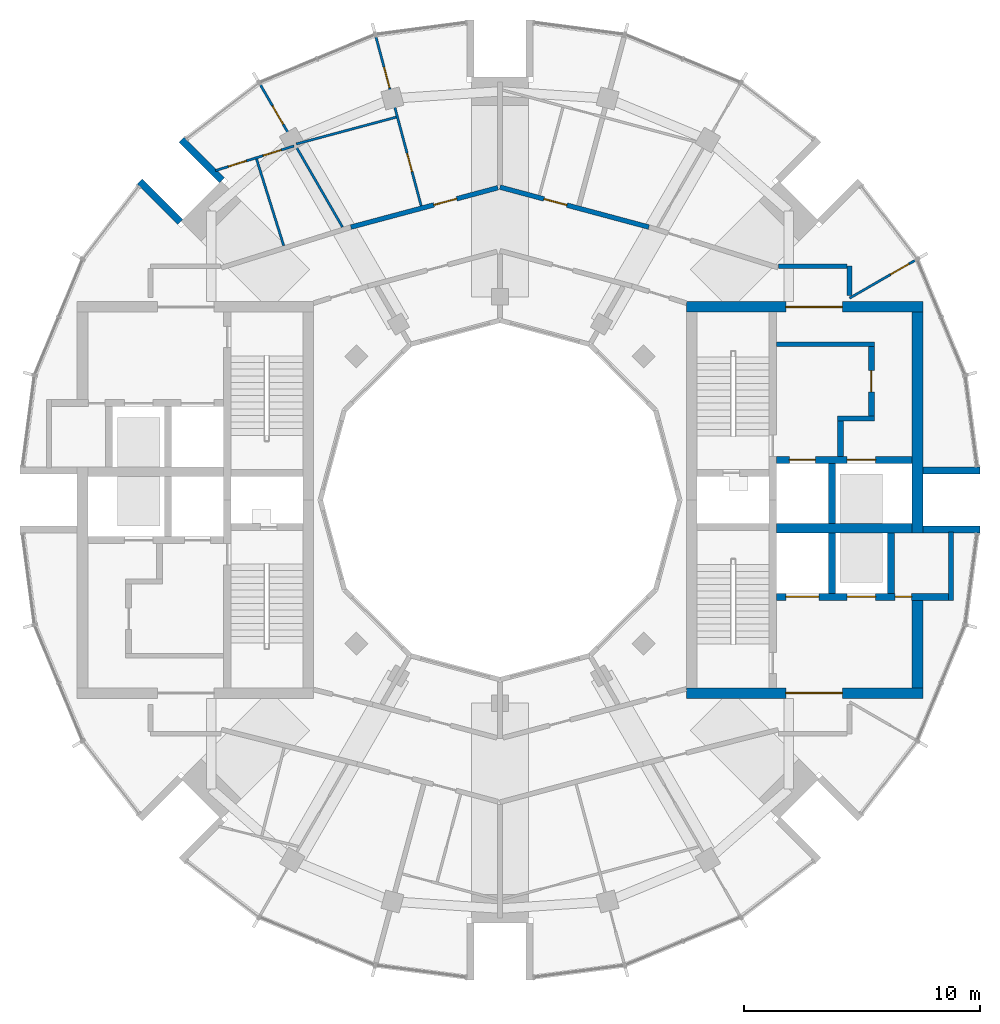
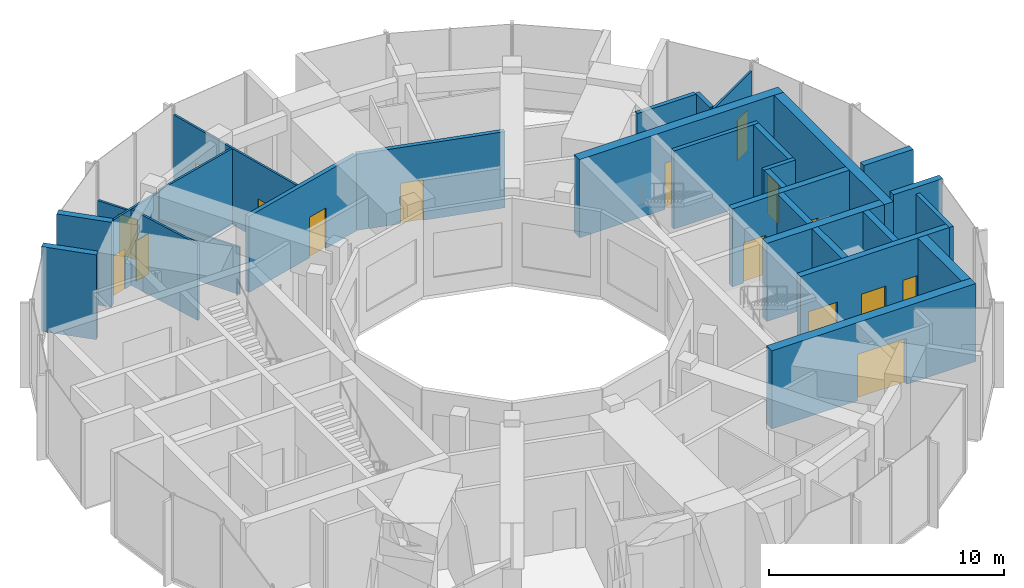
# One storey, part 10 of 13: 29 walls, 16 doors, 16 openings.
"""IFC4 building model written with IfcOpenShell, lengths in metres."""

from ifc_helpers import new_model, si_unit, direction, frame, frame_2d, origin, place, context, subcontext, project, spatial, rectangle, extrude, material, layer, layer_set, type_object, element, fill, save


model = new_model("IFC4")

# Units and contexts
model_context = context("Model", 3, precision=1e-05, world=origin(), true_north=direction((0.0, 1.0)))
body_context = subcontext(model_context, "Body", "Model", "MODEL_VIEW")
ifc_project = project(units=[si_unit("LENGTHUNIT", "METRE"), si_unit("AREAUNIT", "SQUARE_METRE"), si_unit("VOLUMEUNIT", "CUBIC_METRE"), si_unit("PLANEANGLEUNIT", "RADIAN"), si_unit("MASSUNIT", "GRAM", prefix="KILO")], contexts=[model_context])

# Site, building, storey
site_placement = place(None, origin())
site = spatial("IfcSite", under=ifc_project, at=site_placement, CompositionType="ELEMENT")
building_placement = place(site_placement, origin())
building = spatial("IfcBuilding", under=site, at=building_placement, Name="Torre Brocal", CompositionType="ELEMENT")
storey_placement = place(building_placement, frame((0.0, 0.0, 323.699951171875)))
storey = spatial("IfcBuildingStorey", under=building, at=storey_placement, Name="L74", CompositionType="ELEMENT", Elevation=323.699951171875)

# Walls
ifc_material_1 = material(Name="Masonry block", Category="masonry")
ifc_layer_1 = layer(ifc_material_1, 0.199951171875)
ifc_layer_set_1 = layer_set([ifc_layer_1], Name="Masonry block")
wall_type_1 = type_object("IfcWallType", Name="CORE PARTITION 200 UNDER 350 SLAB", PredefinedType="PARTITIONING", material=ifc_layer_set_1)
wall_1_placement = place(storey_placement, frame((99.10009765625, 70.75, 0.0), z_axis=(0.0, 0.0, 1.0), x_axis=(0.0, 1.0, 0.0)))
element("IfcWall", 1, at=wall_1_placement, inside=storey, type_object=wall_type_1, Name="Wall CP200-S350", PredefinedType="PARTITIONING", context=body_context, shape_type="SweptSolid", body=[
    extrude(rectangle(XDim=2.89990234375, YDim=0.199951171875, at=frame_2d((1.449951171875, 0.0))), origin(), (0.0, 0.0, 1.0), 4.050048828125),
])
ifc_material_2 = material(Name="Concrete C50", Category="concrete")
ifc_layer_2 = layer(ifc_material_2, 0.199951171875)
ifc_layer_set_2 = layer_set([ifc_layer_2], Name="Concrete C50")
wall_type_2 = type_object("IfcWallType", Name="CORE WALL 200 C50 UNDER 350 SLAB", PredefinedType="SHEAR", material=ifc_layer_set_2)
wall_2_placement = place(storey_placement, frame((91.699951171875, 81.60009765625, 0.0), z_axis=(0.0, 0.0, 1.0), x_axis=(1.0, 0.0, 0.0)))
element("IfcWall", 2, at=wall_2_placement, inside=storey, type_object=wall_type_2, Name="Wall CW200-50-S350", PredefinedType="SHEAR", context=body_context, shape_type="SweptSolid", body=[
    extrude(rectangle(XDim=4.150146484375, YDim=0.199951171875, at=frame_2d((2.0751953125, 0.0))), origin(), (0.0, 0.0, 1.0), 4.050048828125),
])
wall_3_placement = place(storey_placement, frame((94.300048828125, 78.449951171875, 0.0), z_axis=(0.0, 0.0, 1.0), x_axis=(1.0, 0.0, 0.0)))
element("IfcWall", 3, at=wall_3_placement, inside=storey, type_object=wall_type_2, Name="Wall CW200-50-S350", PredefinedType="SHEAR", context=body_context, shape_type="SweptSolid", body=[
    extrude(rectangle(XDim=1.550048828125, YDim=0.199951171875, at=frame_2d((0.77490234375, 0.0))), origin(), (0.0, 0.0, 1.0), 4.050048828125),
])

# Wall, opening, door
ifc_material_3 = material(Name="Concrete C50", Category="concrete")
ifc_layer_3 = layer(ifc_material_3, 0.25)
ifc_layer_set_3 = layer_set([ifc_layer_3], Name="Concrete C50")
wall_type_3 = type_object("IfcWallType", Name="CORE WALL 250 C50 UNDER 350 SLAB", PredefinedType="SHEAR", material=ifc_layer_set_3)
wall_4_placement = place(storey_placement, frame((95.72509765625, 78.550048828125, 0.0), z_axis=(0.0, 0.0, 1.0), x_axis=(0.0, 1.0, 0.0)))
wall_4 = element("IfcWall", 4, at=wall_4_placement, inside=storey, type_object=wall_type_3, Name="Wall CW250-50-S350", PredefinedType="SHEAR", context=body_context, shape_type="SweptSolid", body=[
    extrude(rectangle(XDim=2.949951171875, YDim=0.25, at=frame_2d((1.47509765625, 0.0))), origin(), (0.0, 0.0, 1.0), 4.050048828125),
])
opening_1_placement = place(wall_4_placement, frame((1.02490234375, 0.0, 0.0)))
opening_1 = element("IfcOpeningElement", 5, at=opening_1_placement, cuts=wall_4, Name="Opening E-D19", PredefinedType="OPENING", context=body_context, shape_type="SweptSolid", body=[
    extrude(rectangle(XDim=0.89990234375, YDim=2.10009765625, at=frame_2d((0.449951171875, 1.050048828125))), frame((0.0, 0.135009765625, 0.0), z_axis=(0.0, -1.0, 0.0), x_axis=(1.0, 0.0, 0.0)), (0.0, 0.0, 1.0), 0.27001953125),
])
ifc_material_4 = material(Name="Steel A653", Category="steel")
door_type_1 = type_object("IfcDoorType", Name="LOBBY DOOR FD120 900X2100", OperationType="SINGLE_SWING_RIGHT", PredefinedType="DOOR", material=ifc_material_4)
door_1_placement = place(opening_1_placement, origin())
door_1 = element("IfcDoor", 6, at=door_1_placement, inside=storey, type_object=door_type_1, Name="Door E-D19", OperationType="SINGLE_SWING_LEFT", OverallHeight=2.10009765625, OverallWidth=0.89990234375, PredefinedType="DOOR", context=body_context, shape_type="SweptSolid", body=[
    extrude(rectangle(XDim=0.89990234375, YDim=2.10009765625, at=frame_2d((0.449951171875, 1.050048828125))), frame((0.0, 0.02490234375, 0.0), z_axis=(0.0, -1.0, 0.0), x_axis=(1.0, 0.0, 0.0)), (0.0, 0.0, 1.0), 0.050048828125),
])
fill(opening_1, door_1)

# Wall
wall_5_placement = place(storey_placement, frame((94.425048828125, 76.85009765625, 0.0), z_axis=(0.0, 0.0, 1.0), x_axis=(0.0, 1.0, 0.0)))
element("IfcWall", 7, at=wall_5_placement, inside=storey, type_object=wall_type_3, Name="Wall CW250-50-S350", PredefinedType="SHEAR", context=body_context, shape_type="SweptSolid", body=[
    extrude(rectangle(XDim=1.5, YDim=0.25, at=frame_2d((0.75, 0.0))), origin(), (0.0, 0.0, 1.0), 4.050048828125),
])

# Wall, openings, doors
ifc_material_5 = material(Name="Concrete C50", Category="concrete")
ifc_layer_4 = layer(ifc_material_5, 0.300048828125)
ifc_layer_set_4 = layer_set([ifc_layer_4], Name="Concrete C50")
wall_type_4 = type_object("IfcWallType", Name="CORE WALL 300 C50 UNDER 350 SLAB", PredefinedType="SHEAR", material=ifc_layer_set_4)
wall_6_placement = place(storey_placement, frame((91.699951171875, 76.699951171875, 0.0), z_axis=(0.0, 0.0, 1.0), x_axis=(1.0, 0.0, 0.0)))
wall_6 = element("IfcWall", 8, at=wall_6_placement, inside=storey, type_object=wall_type_4, Name="Wall CW300-50-S350", PredefinedType="SHEAR", context=body_context, shape_type="SweptSolid", body=[
    extrude(rectangle(XDim=5.75, YDim=0.300048828125, at=frame_2d((2.875, 0.0))), origin(), (0.0, 0.0, 1.0), 4.050048828125),
])
opening_2_placement = place(wall_6_placement, frame((0.550048828125, 0.0, 0.0)))
opening_2 = element("IfcOpeningElement", 9, at=opening_2_placement, cuts=wall_6, Name="Opening LD", PredefinedType="OPENING", context=body_context, shape_type="SweptSolid", body=[
    extrude(rectangle(XDim=1.10009765625, YDim=2.10009765625, at=frame_2d((0.550048828125, 1.050048828125))), frame((0.0, 0.159912109375, 0.0), z_axis=(0.0, -1.0, 0.0), x_axis=(1.0, 0.0, 0.0)), (0.0, 0.0, 1.0), 0.320068359375),
])
opening_3_placement = place(wall_6_placement, frame((3.0, 0.0, 0.0)))
opening_3 = element("IfcOpeningElement", 10, at=opening_3_placement, cuts=wall_6, Name="Opening LD12", PredefinedType="OPENING", context=body_context, shape_type="SweptSolid", body=[
    extrude(rectangle(XDim=1.199951171875, YDim=2.10009765625, at=frame_2d((0.60009765625, 1.050048828125))), frame((0.0, 0.159912109375, 0.0), z_axis=(0.0, -1.0, 0.0), x_axis=(1.0, 0.0, 0.0)), (0.0, 0.0, 1.0), 0.320068359375),
])
ifc_material_6 = material(Name="Stainless steel AISI 316", Category="steel")
door_type_2 = type_object("IfcDoorType", Name="LIFT LANDING DOOR 1100X2100", OperationType="DOUBLE_DOOR_SLIDING", PredefinedType="DOOR", material=ifc_material_6)
door_2_placement = place(opening_2_placement, origin())
door_2 = element("IfcDoor", 11, at=door_2_placement, inside=storey, type_object=door_type_2, Name="Door LD", OperationType="DOUBLE_DOOR_SLIDING", OverallHeight=2.10009765625, OverallWidth=1.10009765625, PredefinedType="DOOR", context=body_context, shape_type="SweptSolid", body=[
    extrude(rectangle(XDim=1.10009765625, YDim=2.10009765625, at=frame_2d((0.550048828125, 1.050048828125))), frame((0.0, 0.02490234375, 0.0), z_axis=(0.0, -1.0, 0.0), x_axis=(1.0, 0.0, 0.0)), (0.0, 0.0, 1.0), 0.050048828125),
])
fill(opening_2, door_2)
ifc_material_7 = material(Name="Stainless steel AISI 316", Category="steel")
door_type_3 = type_object("IfcDoorType", Name="LIFT LANDING DOOR 1200X2100", OperationType="DOUBLE_DOOR_SLIDING", PredefinedType="DOOR", material=ifc_material_7)
door_3_placement = place(opening_3_placement, origin())
door_3 = element("IfcDoor", 12, at=door_3_placement, inside=storey, type_object=door_type_3, Name="Door LD12", OperationType="DOUBLE_DOOR_SLIDING", OverallHeight=2.10009765625, OverallWidth=1.199951171875, PredefinedType="DOOR", context=body_context, shape_type="SweptSolid", body=[
    extrude(rectangle(XDim=1.199951171875, YDim=2.10009765625, at=frame_2d((0.60009765625, 1.050048828125))), frame((0.0, 0.02490234375, 0.0), z_axis=(0.0, -1.0, 0.0), x_axis=(1.0, 0.0, 0.0)), (0.0, 0.0, 1.0), 0.050048828125),
])
fill(opening_3, door_3)

wall_7_placement = place(storey_placement, frame((91.699951171875, 70.89990234375, 0.0), z_axis=(0.0, 0.0, 1.0), x_axis=(1.0, 0.0, 0.0)))
wall_7 = element("IfcWall", 13, at=wall_7_placement, inside=storey, type_object=wall_type_4, Name="Wall CW300-50-S350", PredefinedType="SHEAR", context=body_context, shape_type="SweptSolid", body=[
    extrude(rectangle(XDim=7.300048828125, YDim=0.300048828125, at=frame_2d((3.64990234375, 0.0))), origin(), (0.0, 0.0, 1.0), 4.050048828125),
])
opening_4_placement = place(wall_7_placement, frame((0.39990234375, 0.0, 0.0)))
opening_4 = element("IfcOpeningElement", 14, at=opening_4_placement, cuts=wall_7, Name="Opening LD14", PredefinedType="OPENING", context=body_context, shape_type="SweptSolid", body=[
    extrude(rectangle(XDim=1.39990234375, YDim=2.10009765625, at=frame_2d((0.699951171875, 1.050048828125))), frame((0.0, 0.159912109375, 0.0), z_axis=(0.0, -1.0, 0.0), x_axis=(1.0, 0.0, 0.0)), (0.0, 0.0, 1.0), 0.320068359375),
])
opening_5_placement = place(wall_7_placement, frame((3.0, 0.0, 0.0)))
opening_5 = element("IfcOpeningElement", 15, at=opening_5_placement, cuts=wall_7, Name="Opening LD12", PredefinedType="OPENING", context=body_context, shape_type="SweptSolid", body=[
    extrude(rectangle(XDim=1.199951171875, YDim=2.10009765625, at=frame_2d((0.60009765625, 1.050048828125))), frame((0.0, 0.159912109375, 0.0), z_axis=(0.0, -1.0, 0.0), x_axis=(1.0, 0.0, 0.0)), (0.0, 0.0, 1.0), 0.320068359375),
])
opening_6_placement = place(wall_7_placement, frame((5.02490234375, 0.0, 0.0)))
opening_6 = element("IfcOpeningElement", 16, at=opening_6_placement, cuts=wall_7, Name="Opening E-D17", PredefinedType="OPENING", context=body_context, shape_type="SweptSolid", body=[
    extrude(rectangle(XDim=0.699951171875, YDim=2.10009765625, at=frame_2d((0.35009765625, 1.050048828125))), frame((0.0, 0.159912109375, 0.0), z_axis=(0.0, -1.0, 0.0), x_axis=(1.0, 0.0, 0.0)), (0.0, 0.0, 1.0), 0.320068359375),
])
door_4_placement = place(opening_5_placement, origin())
door_4 = element("IfcDoor", 17, at=door_4_placement, inside=storey, type_object=door_type_3, Name="Door LD12", OperationType="DOUBLE_DOOR_SLIDING", OverallHeight=2.10009765625, OverallWidth=1.199951171875, PredefinedType="DOOR", context=body_context, shape_type="SweptSolid", body=[
    extrude(rectangle(XDim=1.199951171875, YDim=2.10009765625, at=frame_2d((0.60009765625, 1.050048828125))), frame((0.0, 0.02490234375, 0.0), z_axis=(0.0, -1.0, 0.0), x_axis=(1.0, 0.0, 0.0)), (0.0, 0.0, 1.0), 0.050048828125),
])
fill(opening_5, door_4)
ifc_material_8 = material(Name="Stainless steel AISI 316", Category="steel")
door_type_4 = type_object("IfcDoorType", Name="LIFT LANDING DOOR 1400X2100", OperationType="DOUBLE_DOOR_SLIDING", PredefinedType="DOOR", material=ifc_material_8)
door_5_placement = place(opening_4_placement, origin())
door_5 = element("IfcDoor", 18, at=door_5_placement, inside=storey, type_object=door_type_4, Name="Door LD14", OperationType="DOUBLE_DOOR_SLIDING", OverallHeight=2.10009765625, OverallWidth=1.39990234375, PredefinedType="DOOR", context=body_context, shape_type="SweptSolid", body=[
    extrude(rectangle(XDim=1.39990234375, YDim=2.10009765625, at=frame_2d((0.699951171875, 1.050048828125))), frame((0.0, 0.02490234375, 0.0), z_axis=(0.0, -1.0, 0.0), x_axis=(1.0, 0.0, 0.0)), (0.0, 0.0, 1.0), 0.050048828125),
])
fill(opening_4, door_5)
ifc_material_9 = material(Name="Steel A653", Category="steel")
door_type_5 = type_object("IfcDoorType", Name="ROOM DOOR FD30S 700X2100", OperationType="SINGLE_SWING_LEFT", PredefinedType="DOOR", material=ifc_material_9)
door_6_placement = place(opening_6_placement, origin())
door_6 = element("IfcDoor", 19, at=door_6_placement, inside=storey, type_object=door_type_5, Name="Door E-D17", OperationType="SINGLE_SWING_LEFT", OverallHeight=2.10009765625, OverallWidth=0.699951171875, PredefinedType="DOOR", context=body_context, shape_type="SweptSolid", body=[
    extrude(rectangle(XDim=0.699951171875, YDim=2.10009765625, at=frame_2d((0.35009765625, 1.050048828125))), frame((0.0, 0.02490234375, 0.0), z_axis=(0.0, -1.0, 0.0), x_axis=(1.0, 0.0, 0.0)), (0.0, 0.0, 1.0), 0.050048828125),
])
fill(opening_6, door_6)

# Walls
for number, where, z_axis, x_axis, name in (
    (20, (94.050048828125, 74.0, 0.0), (0.0, 0.0, 1.0), (0.0, 1.0, 0.0), "Wall CW300-50-S350"),
    (21, (94.050048828125, 71.050048828125, 0.0), (0.0, 0.0, 1.0), (0.0, 1.0, 0.0), "Wall CW300-50-S350"),
    (22, (96.550048828125, 71.050048828125, 0.0), (0.0, 0.0, 1.0), (0.0, 1.0, 0.0), "Wall CW300-50-S350"),
):
    element("IfcWall", number, at=place(storey_placement, frame(where, z_axis=z_axis, x_axis=x_axis)), inside=storey, type_object=wall_type_4, Name=name, PredefinedType="SHEAR", context=body_context, shape_type="SweptSolid", body=[
        extrude(rectangle(XDim=2.550048828125, YDim=0.300048828125, at=frame_2d((1.27490234375, 0.0))), origin(), (0.0, 0.0, 1.0), 4.050048828125),
    ])
ifc_material_10 = material(Name="Concrete C50", Category="concrete")
ifc_layer_5 = layer(ifc_material_10, 0.39990234375)
ifc_layer_set_5 = layer_set([ifc_layer_5], Name="Concrete C50")
wall_type_5 = type_object("IfcWallType", Name="CORE WALL 400 C50 UNDER 350 SLAB", PredefinedType="SHEAR", material=ifc_layer_set_5)
wall_8_placement = place(storey_placement, frame((91.699951171875, 73.800048828125, 0.0), z_axis=(0.0, 0.0, 1.0), x_axis=(1.0, 0.0, 0.0)))
element("IfcWall", 23, at=wall_8_placement, inside=storey, type_object=wall_type_5, Name="Wall CW400-50-S350", PredefinedType="SHEAR", context=body_context, shape_type="SweptSolid", body=[
    extrude(rectangle(XDim=5.75, YDim=0.39990234375, at=frame_2d((2.875, 0.0))), origin(), (0.0, 0.0, 1.0), 4.050048828125),
])

# Wall, opening, door
ifc_material_11 = material(Name="Concrete C50", Category="concrete")
ifc_layer_6 = layer(ifc_material_11, 0.449951171875)
ifc_layer_set_6 = layer_set([ifc_layer_6], Name="Concrete C50")
wall_type_6 = type_object("IfcWallType", Name="CORE WALL 450 C50 UNDER 350 SLAB", PredefinedType="SHEAR", material=ifc_layer_set_6)
wall_9_placement = place(storey_placement, frame((87.89990234375, 83.175048828125, 0.0), z_axis=(0.0, 0.0, 1.0), x_axis=(1.0, 0.0, 0.0)))
wall_9 = element("IfcWall", 24, at=wall_9_placement, inside=storey, type_object=wall_type_6, Name="Wall CW450-50-S350", PredefinedType="SHEAR", context=body_context, shape_type="SweptSolid", body=[
    extrude(rectangle(XDim=10.0, YDim=0.449951171875, at=frame_2d((5.0, 0.0))), origin(), (0.0, 0.0, 1.0), 4.050048828125),
])
opening_7_placement = place(wall_9_placement, frame((4.199951171875, 0.0, 0.0)))
opening_7 = element("IfcOpeningElement", 25, at=opening_7_placement, cuts=wall_9, Name="Opening E-D23", PredefinedType="OPENING", context=body_context, shape_type="SweptSolid", body=[
    extrude(rectangle(XDim=2.39990234375, YDim=2.39990234375, at=frame_2d((1.199951171875, 1.199951171875))), frame((0.0, 0.23486328125, 0.0), z_axis=(0.0, -1.0, 0.0), x_axis=(1.0, 0.0, 0.0)), (0.0, 0.0, 1.0), 0.469970703125),
])
ifc_material_12 = material(Name="Steel A653", Category="steel")
door_type_6 = type_object("IfcDoorType", Name="DOUBLE FIRE DOOR FD90 2400X2400", OperationType="DOUBLE_DOOR_SINGLE_SWING", PredefinedType="DOOR", material=ifc_material_12)
door_7_placement = place(opening_7_placement, frame((2.39990234375, 0.0, 0.0), z_axis=(0.0, 0.0, 1.0), x_axis=(-1.0, 0.0, 0.0)))
door_7 = element("IfcDoor", 26, at=door_7_placement, inside=storey, type_object=door_type_6, Name="Door E-D23", OperationType="DOUBLE_DOOR_SINGLE_SWING", OverallHeight=2.39990234375, OverallWidth=2.39990234375, PredefinedType="DOOR", context=body_context, shape_type="SweptSolid", body=[
    extrude(rectangle(XDim=2.39990234375, YDim=2.39990234375, at=frame_2d((1.199951171875, 1.199951171875))), frame((0.0, 0.02490234375, 0.0), z_axis=(0.0, -1.0, 0.0), x_axis=(1.0, 0.0, 0.0)), (0.0, 0.0, 1.0), 0.050048828125),
])
fill(opening_7, door_7)

wall_10_placement = place(storey_placement, frame((87.89990234375, 66.824951171875, 0.0), z_axis=(0.0, 0.0, 1.0), x_axis=(1.0, 0.0, 0.0)))
wall_10 = element("IfcWall", 27, at=wall_10_placement, inside=storey, type_object=wall_type_6, Name="Wall CW450-50-S350", PredefinedType="SHEAR", context=body_context, shape_type="SweptSolid", body=[
    extrude(rectangle(XDim=10.0, YDim=0.449951171875, at=frame_2d((5.0, 0.0))), origin(), (0.0, 0.0, 1.0), 4.050048828125),
])
opening_8_placement = place(wall_10_placement, frame((4.199951171875, 0.0, 0.0)))
opening_8 = element("IfcOpeningElement", 28, at=opening_8_placement, cuts=wall_10, Name="Opening E-D24", PredefinedType="OPENING", context=body_context, shape_type="SweptSolid", body=[
    extrude(rectangle(XDim=2.39990234375, YDim=2.39990234375, at=frame_2d((1.199951171875, 1.199951171875))), frame((0.0, 0.23486328125, 0.0), z_axis=(0.0, -1.0, 0.0), x_axis=(1.0, 0.0, 0.0)), (0.0, 0.0, 1.0), 0.469970703125),
])
door_8_placement = place(opening_8_placement, origin())
door_8 = element("IfcDoor", 29, at=door_8_placement, inside=storey, type_object=door_type_6, Name="Door E-D24", OperationType="DOUBLE_DOOR_SINGLE_SWING", OverallHeight=2.39990234375, OverallWidth=2.39990234375, PredefinedType="DOOR", context=body_context, shape_type="SweptSolid", body=[
    extrude(rectangle(XDim=2.39990234375, YDim=2.39990234375, at=frame_2d((1.199951171875, 1.199951171875))), frame((0.0, 0.02490234375, 0.0), z_axis=(0.0, -1.0, 0.0), x_axis=(1.0, 0.0, 0.0)), (0.0, 0.0, 1.0), 0.050048828125),
])
fill(opening_8, door_8)

# Walls
wall_11_placement = place(storey_placement, frame((97.675048828125, 73.60009765625, 0.0), z_axis=(0.0, 0.0, 1.0), x_axis=(0.0, 1.0, 0.0)))
element("IfcWall", 30, at=wall_11_placement, inside=storey, type_object=wall_type_6, Name="Wall CW450-50-S350", PredefinedType="SHEAR", context=body_context, shape_type="SweptSolid", body=[
    extrude(rectangle(XDim=9.349853515625, YDim=0.449951171875, at=frame_2d((4.6748046875, 0.0))), origin(), (0.0, 0.0, 1.0), 4.050048828125),
])
wall_12_placement = place(storey_placement, frame((97.675048828125, 67.050048828125, 0.0), z_axis=(0.0, 0.0, 1.0), x_axis=(0.0, 1.0, 0.0)))
element("IfcWall", 31, at=wall_12_placement, inside=storey, type_object=wall_type_6, Name="Wall CW450-50-S350", PredefinedType="SHEAR", context=body_context, shape_type="SweptSolid", body=[
    extrude(rectangle(XDim=3.699951171875, YDim=0.449951171875, at=frame_2d((1.85009765625, 0.0))), origin(), (0.0, 0.0, 1.0), 4.050048828125),
])
ifc_material_13 = material(Name="Concrete C50", Category="concrete")
ifc_layer_7 = layer(ifc_material_13, 0.300048828125)
ifc_layer_set_7 = layer_set([ifc_layer_7], Name="Concrete C50")
wall_type_7 = type_object("IfcWallType", Name="NOTCH RETURN WALL 300 C50", PredefinedType="NOTDEFINED", material=ifc_layer_set_7)
for number, where, z_axis, x_axis, name in (
    (32, (97.89990234375, 73.75, 0.0), (0.0, 0.0, 1.0), (1.0, 0.0, 0.0), "NOTCH RETURN WALL"),
    (33, (97.89990234375, 76.25, 0.0), (0.0, 0.0, 1.0), (1.0, 0.0, 0.0), "NOTCH RETURN WALL"),
    (34, (68.2265625, 88.541015625, 0.0), (0.0, 0.0, 1.0), (-0.707056246487, 0.707157312274, 0.0), "NOTCH RETURN WALL"),
    (35, (66.458984375, 86.7734375, 0.0), (0.0, 0.0, 1.0), (-0.707157312274, 0.707056246487, 0.0), "NOTCH RETURN WALL"),
):
    element("IfcWall", number, at=place(storey_placement, frame(where, z_axis=z_axis, x_axis=x_axis)), inside=storey, type_object=wall_type_7, Name=name, PredefinedType="NOTDEFINED", context=body_context, shape_type="SweptSolid", body=[
        extrude(rectangle(XDim=2.415771484375, YDim=0.300048828125, at=frame_2d((1.2080078125, 0.0))), origin(), (0.0, 0.0, 1.0), 4.400146484375),
    ])

# Wall, openings, doors
ifc_material_14 = material(Name="Gypsum board", Category="Gypsum")
ifc_layer_8 = layer(ifc_material_14, 0.10009765625)
ifc_layer_set_8 = layer_set([ifc_layer_8], Name="Gypsum board")
wall_type_8 = type_object("IfcWallType", Name="PARTITION 100", PredefinedType="PARTITIONING", material=ifc_layer_set_8)
wall_13_placement = place(storey_placement, frame((67.9541015625, 88.947509765625, 0.0), z_axis=(0.0, 0.0, 1.0), x_axis=(0.954122535632, 0.299416410704, 0.0)))
wall_13 = element("IfcWall", 36, at=wall_13_placement, inside=storey, type_object=wall_type_8, Name="BATHROOM WALL", PredefinedType="PARTITIONING", context=body_context, shape_type="SweptSolid", body=[
    extrude(rectangle(XDim=3.482421875, YDim=0.10009765625, at=frame_2d((1.7412109375, 0.0))), origin(), (0.0, 0.0, 1.0), 3.949951171875),
])
opening_9_placement = place(wall_13_placement, frame((0.5712890625, 0.0, 0.0)))
opening_9 = element("IfcOpeningElement", 37, at=opening_9_placement, cuts=wall_13, Name="Opening N05-D12", PredefinedType="OPENING", context=body_context, shape_type="SweptSolid", body=[
    extrude(rectangle(XDim=0.800048828125, YDim=2.10009765625, at=frame_2d((0.39990234375, 1.050048828125))), frame((0.0, 0.06005859375, 0.0), z_axis=(0.0, -1.0, 0.0), x_axis=(1.0, 0.0, 0.0)), (0.0, 0.0, 1.0), 0.1201171875),
])
opening_10_placement = place(wall_13_placement, frame((2.11376953125, 0.0, 0.0)))
opening_10 = element("IfcOpeningElement", 38, at=opening_10_placement, cuts=wall_13, Name="Opening N05-D13", PredefinedType="OPENING", context=body_context, shape_type="SweptSolid", body=[
    extrude(rectangle(XDim=0.800048828125, YDim=2.10009765625, at=frame_2d((0.39990234375, 1.050048828125))), frame((0.0, 0.06005859375, 0.0), z_axis=(0.0, -1.0, 0.0), x_axis=(1.0, 0.0, 0.0)), (0.0, 0.0, 1.0), 0.1201171875),
])
ifc_material_15 = material(Name="Timber", Category="wood")
door_type_7 = type_object("IfcDoorType", Name="BATHROOM DOOR 800X2100", OperationType="SINGLE_SWING_LEFT", PredefinedType="DOOR", material=ifc_material_15)
door_9_placement = place(opening_9_placement, frame((0.800048828125, 0.0, 0.0), z_axis=(0.0, 0.0, 1.0), x_axis=(-1.0, 0.0, 0.0)))
door_9 = element("IfcDoor", 39, at=door_9_placement, inside=storey, type_object=door_type_7, Name="N05-D12", OperationType="SINGLE_SWING_RIGHT", OverallHeight=2.10009765625, OverallWidth=0.800048828125, PredefinedType="DOOR", context=body_context, shape_type="SweptSolid", body=[
    extrude(rectangle(XDim=0.800048828125, YDim=2.10009765625, at=frame_2d((0.39990234375, 1.050048828125))), frame((0.0, 0.02490234375, 0.0), z_axis=(0.0, -1.0, 0.0), x_axis=(1.0, 0.0, 0.0)), (0.0, 0.0, 1.0), 0.050048828125),
])
fill(opening_9, door_9)
door_10_placement = place(opening_10_placement, frame((0.800048828125, 0.0, 0.0), z_axis=(0.0, 0.0, 1.0), x_axis=(-1.0, 0.0, 0.0)))
door_10 = element("IfcDoor", 40, at=door_10_placement, inside=storey, type_object=door_type_7, Name="N05-D13", OperationType="SINGLE_SWING_RIGHT", OverallHeight=2.10009765625, OverallWidth=0.800048828125, PredefinedType="DOOR", context=body_context, shape_type="SweptSolid", body=[
    extrude(rectangle(XDim=0.800048828125, YDim=2.10009765625, at=frame_2d((0.39990234375, 1.050048828125))), frame((0.0, 0.02490234375, 0.0), z_axis=(0.0, -1.0, 0.0), x_axis=(1.0, 0.0, 0.0)), (0.0, 0.0, 1.0), 0.050048828125),
])
fill(opening_10, door_10)

# Walls
wall_14_placement = place(storey_placement, frame((69.690185546875, 89.43994140625, 0.0), z_axis=(0.0, 0.0, 1.0), x_axis=(0.299260814267, -0.954171349939, 0.0)))
element("IfcWall", 41, at=wall_14_placement, inside=storey, type_object=wall_type_8, Name="BATHROOM WALL", PredefinedType="PARTITIONING", context=body_context, shape_type="SweptSolid", body=[
    extrude(rectangle(XDim=3.84912109375, YDim=0.10009765625, at=frame_2d((1.924560546875, 0.0))), origin(), (0.0, 0.0, 1.0), 3.949951171875),
])
wall_15_placement = place(storey_placement, frame((71.374755859375, 90.075439453125, 0.0), z_axis=(0.0, 0.0, 1.0), x_axis=(0.965918685896, 0.258845691944, 0.0)))
element("IfcWall", 42, at=wall_15_placement, inside=storey, type_object=wall_type_8, Name="BATHROOM WALL", PredefinedType="PARTITIONING", context=body_context, shape_type="SweptSolid", body=[
    extrude(rectangle(XDim=4.379150390625, YDim=0.10009765625, at=frame_2d((2.189453125, 0.0))), origin(), (0.0, 0.0, 1.0), 3.949951171875),
])

# Wall, openings, doors
wall_16_placement = place(storey_placement, frame((74.7470703125, 94.606689453125, 0.0), z_axis=(0.0, 0.0, 1.0), x_axis=(0.258787180783, -0.965934363745, 0.0)))
wall_16 = element("IfcWall", 43, at=wall_16_placement, inside=storey, type_object=wall_type_8, Name="BATHROOM WALL", PredefinedType="PARTITIONING", context=body_context, shape_type="SweptSolid", body=[
    extrude(rectangle(XDim=7.40380859375, YDim=0.10009765625, at=frame_2d((3.701904296875, 0.0))), origin(), (0.0, 0.0, 1.0), 3.949951171875),
])
opening_11_placement = place(wall_16_placement, frame((1.326904296875, 0.0, 0.0)))
opening_11 = element("IfcOpeningElement", 44, at=opening_11_placement, cuts=wall_16, Name="Opening N05-D09", PredefinedType="OPENING", context=body_context, shape_type="SweptSolid", body=[
    extrude(rectangle(XDim=0.89990234375, YDim=2.10009765625, at=frame_2d((0.449951171875, 1.050048828125))), frame((0.0, 0.06005859375, 0.0), z_axis=(0.0, -1.0, 0.0), x_axis=(1.0, 0.0, 0.0)), (0.0, 0.0, 1.0), 0.1201171875),
])
opening_12_placement = place(wall_16_placement, frame((5.10400390625, 0.0, 0.0)))
opening_12 = element("IfcOpeningElement", 45, at=opening_12_placement, cuts=wall_16, Name="Opening N05-D10", PredefinedType="OPENING", context=body_context, shape_type="SweptSolid", body=[
    extrude(rectangle(XDim=0.800048828125, YDim=2.10009765625, at=frame_2d((0.39990234375, 1.050048828125))), frame((0.0, 0.06005859375, 0.0), z_axis=(0.0, -1.0, 0.0), x_axis=(1.0, 0.0, 0.0)), (0.0, 0.0, 1.0), 0.1201171875),
])
door_11_placement = place(opening_12_placement, frame((0.800048828125, 0.0, 0.0), z_axis=(0.0, 0.0, 1.0), x_axis=(-1.0, 0.0, 0.0)))
door_11 = element("IfcDoor", 46, at=door_11_placement, inside=storey, type_object=door_type_7, Name="N05-D10", OperationType="SINGLE_SWING_RIGHT", OverallHeight=2.10009765625, OverallWidth=0.800048828125, PredefinedType="DOOR", context=body_context, shape_type="SweptSolid", body=[
    extrude(rectangle(XDim=0.800048828125, YDim=2.10009765625, at=frame_2d((0.39990234375, 1.050048828125))), frame((0.0, 0.02490234375, 0.0), z_axis=(0.0, -1.0, 0.0), x_axis=(1.0, 0.0, 0.0)), (0.0, 0.0, 1.0), 0.050048828125),
])
fill(opening_12, door_11)
ifc_material_16 = material(Name="Timber", Category="wood")
door_type_8 = type_object("IfcDoorType", Name="ROOM DOOR 900X2100", OperationType="SINGLE_SWING_LEFT", PredefinedType="DOOR", material=ifc_material_16)
door_12_placement = place(opening_11_placement, origin())
door_12 = element("IfcDoor", 47, at=door_12_placement, inside=storey, type_object=door_type_8, Name="N05-D09", OperationType="SINGLE_SWING_LEFT", OverallHeight=2.10009765625, OverallWidth=0.89990234375, PredefinedType="DOOR", context=body_context, shape_type="SweptSolid", body=[
    extrude(rectangle(XDim=0.89990234375, YDim=2.10009765625, at=frame_2d((0.449951171875, 1.050048828125))), frame((0.0, 0.02490234375, 0.0), z_axis=(0.0, -1.0, 0.0), x_axis=(1.0, 0.0, 0.0)), (0.0, 0.0, 1.0), 0.050048828125),
])
fill(opening_11, door_12)

# Wall, opening, door
wall_17_placement = place(storey_placement, frame((94.7998046875, 83.545166015625, 0.0), z_axis=(0.0, 0.0, 1.0), x_axis=(0.866141222235, 0.499799342882, 0.0)))
wall_17 = element("IfcWall", 48, at=wall_17_placement, inside=storey, type_object=wall_type_8, Name="ROOM PARTITION", PredefinedType="PARTITIONING", context=body_context, shape_type="SweptSolid", body=[
    extrude(rectangle(XDim=3.206787109375, YDim=0.10009765625, at=frame_2d((1.603515625, 0.0))), origin(), (0.0, 0.0, 1.0), 3.949951171875),
])
opening_13_placement = place(wall_17_placement, frame((2.006591796875, 0.0, 0.0)))
opening_13 = element("IfcOpeningElement", 49, at=opening_13_placement, cuts=wall_17, Name="Opening N05-D04", PredefinedType="OPENING", context=body_context, shape_type="SweptSolid", body=[
    extrude(rectangle(XDim=0.89990234375, YDim=2.10009765625, at=frame_2d((0.449951171875, 1.050048828125))), frame((0.0, 0.06005859375, 0.0), z_axis=(0.0, -1.0, 0.0), x_axis=(1.0, 0.0, 0.0)), (0.0, 0.0, 1.0), 0.1201171875),
])
door_13_placement = place(opening_13_placement, frame((0.89990234375, 0.0, 0.0), z_axis=(0.0, 0.0, 1.0), x_axis=(-1.0, 0.0, 0.0)))
door_13 = element("IfcDoor", 50, at=door_13_placement, inside=storey, type_object=door_type_8, Name="N05-D04", OperationType="SINGLE_SWING_LEFT", OverallHeight=2.10009765625, OverallWidth=0.89990234375, PredefinedType="DOOR", context=body_context, shape_type="SweptSolid", body=[
    extrude(rectangle(XDim=0.89990234375, YDim=2.10009765625, at=frame_2d((0.449951171875, 1.050048828125))), frame((0.0, 0.02490234375, 0.0), z_axis=(0.0, -1.0, 0.0), x_axis=(1.0, 0.0, 0.0)), (0.0, 0.0, 1.0), 0.050048828125),
])
fill(opening_13, door_13)

ifc_material_17 = material(Name="Gypsum board", Category="Gypsum")
ifc_layer_9 = layer(ifc_material_17, 0.10009765625)
ifc_layer_set_9 = layer_set([ifc_layer_9], Name="Gypsum board")
wall_type_9 = type_object("IfcWallType", Name="PARTITION 100 UNDER BEAM 1950", PredefinedType="PARTITIONING", material=ifc_layer_set_9)
wall_18_placement = place(storey_placement, frame((69.85498046875, 92.579345703125, 0.0), z_axis=(0.0, 0.0, 1.0), x_axis=(0.499801463163, -0.866139998742, 0.0)))
wall_18 = element("IfcWall", 51, at=wall_18_placement, inside=storey, type_object=wall_type_9, Name="BATHROOM WALL", PredefinedType="PARTITIONING", context=body_context, shape_type="SweptSolid", body=[
    extrude(rectangle(XDim=6.954833984375, YDim=0.10009765625, at=frame_2d((3.4775390625, 0.0))), origin(), (0.0, 0.0, 1.0), 2.449951171875),
])
opening_14_placement = place(wall_18_placement, frame((1.029296875, 0.0, 0.0)))
opening_14 = element("IfcOpeningElement", 52, at=opening_14_placement, cuts=wall_18, Name="Opening N05-D11", PredefinedType="OPENING", context=body_context, shape_type="SweptSolid", body=[
    extrude(rectangle(XDim=0.89990234375, YDim=2.10009765625, at=frame_2d((0.449951171875, 1.050048828125))), frame((0.0, 0.06005859375, 0.0), z_axis=(0.0, -1.0, 0.0), x_axis=(1.0, 0.0, 0.0)), (0.0, 0.0, 1.0), 0.1201171875),
])
door_14_placement = place(opening_14_placement, frame((0.89990234375, 0.0, 0.0), z_axis=(0.0, 0.0, 1.0), x_axis=(-1.0, 0.0, 0.0)))
door_14 = element("IfcDoor", 53, at=door_14_placement, inside=storey, type_object=door_type_8, Name="N05-D11", OperationType="SINGLE_SWING_LEFT", OverallHeight=2.10009765625, OverallWidth=0.89990234375, PredefinedType="DOOR", context=body_context, shape_type="SweptSolid", body=[
    extrude(rectangle(XDim=0.89990234375, YDim=2.10009765625, at=frame_2d((0.449951171875, 1.050048828125))), frame((0.0, 0.02490234375, 0.0), z_axis=(0.0, -1.0, 0.0), x_axis=(1.0, 0.0, 0.0)), (0.0, 0.0, 1.0), 0.050048828125),
])
fill(opening_14, door_14)

ifc_material_18 = material(Name="Gypsum board", Category="Gypsum")
ifc_layer_10 = layer(ifc_material_18, 0.199951171875)
ifc_layer_set_10 = layer_set([ifc_layer_10], Name="Gypsum board")
wall_type_10 = type_object("IfcWallType", Name="PARTITION 200 EI60", PredefinedType="PARTITIONING", material=ifc_layer_set_10)
wall_19_placement = place(storey_placement, frame((73.68701171875, 86.55419921875, 0.0), z_axis=(0.0, 0.0, 1.0), x_axis=(0.96595903825, 0.258695064551, 0.0)))
wall_19 = element("IfcWall", 54, at=wall_19_placement, inside=storey, type_object=wall_type_10, Name="FLAT ENTRANCE WALL", PredefinedType="PARTITIONING", context=body_context, shape_type="SweptSolid", body=[
    extrude(rectangle(XDim=6.44580078125, YDim=0.199951171875, at=frame_2d((3.222900390625, 0.0))), origin(), (0.0, 0.0, 1.0), 3.949951171875),
])
opening_15_placement = place(wall_19_placement, frame((3.63818359375, 0.0, 0.0)))
opening_15 = element("IfcOpeningElement", 55, at=opening_15_placement, cuts=wall_19, Name="Opening N05-D08", PredefinedType="OPENING", context=body_context, shape_type="SweptSolid", body=[
    extrude(rectangle(XDim=1.0, YDim=2.10009765625, at=frame_2d((0.5, 1.050048828125))), frame((0.0, 0.10986328125, 0.0), z_axis=(0.0, -1.0, 0.0), x_axis=(1.0, 0.0, 0.0)), (0.0, 0.0, 1.0), 0.219970703125),
])
ifc_material_19 = material(Name="Timber", Category="wood")
door_type_9 = type_object("IfcDoorType", Name="FLAT ENTRY DOOR FD30S 1000X2100", OperationType="SINGLE_SWING_RIGHT", PredefinedType="DOOR", material=ifc_material_19)
door_15_placement = place(opening_15_placement, origin())
door_15 = element("IfcDoor", 56, at=door_15_placement, inside=storey, type_object=door_type_9, Name="N05-D08", OperationType="SINGLE_SWING_LEFT", OverallHeight=2.10009765625, OverallWidth=1.0, PredefinedType="DOOR", context=body_context, shape_type="SweptSolid", body=[
    extrude(rectangle(XDim=1.0, YDim=2.10009765625, at=frame_2d((0.5, 1.050048828125))), frame((0.0, 0.02490234375, 0.0), z_axis=(0.0, -1.0, 0.0), x_axis=(1.0, 0.0, 0.0)), (0.0, 0.0, 1.0), 0.050048828125),
])
fill(opening_15, door_15)

wall_20_placement = place(storey_placement, frame((80.000244140625, 88.24658203125, 0.0), z_axis=(0.0, 0.0, 1.0), x_axis=(0.965807659316, -0.259259648244, 0.0)))
wall_20 = element("IfcWall", 57, at=wall_20_placement, inside=storey, type_object=wall_type_10, Name="FLAT ENTRANCE WALL", PredefinedType="PARTITIONING", context=body_context, shape_type="SweptSolid", body=[
    extrude(rectangle(XDim=6.52587890625, YDim=0.199951171875, at=frame_2d((3.262939453125, 0.0))), origin(), (0.0, 0.0, 1.0), 3.949951171875),
])
opening_16_placement = place(wall_20_placement, frame((1.930419921875, 0.0, 0.0)))
opening_16 = element("IfcOpeningElement", 58, at=opening_16_placement, cuts=wall_20, Name="Opening N05-D06", PredefinedType="OPENING", context=body_context, shape_type="SweptSolid", body=[
    extrude(rectangle(XDim=1.0, YDim=2.10009765625, at=frame_2d((0.5, 1.050048828125))), frame((0.0, 0.10986328125, 0.0), z_axis=(0.0, -1.0, 0.0), x_axis=(1.0, 0.0, 0.0)), (0.0, 0.0, 1.0), 0.219970703125),
])
door_16_placement = place(opening_16_placement, origin())
door_16 = element("IfcDoor", 59, at=door_16_placement, inside=storey, type_object=door_type_9, Name="N05-D06", OperationType="SINGLE_SWING_LEFT", OverallHeight=2.10009765625, OverallWidth=1.0, PredefinedType="DOOR", context=body_context, shape_type="SweptSolid", body=[
    extrude(rectangle(XDim=1.0, YDim=2.10009765625, at=frame_2d((0.5, 1.050048828125))), frame((0.0, 0.02490234375, 0.0), z_axis=(0.0, -1.0, 0.0), x_axis=(1.0, 0.0, 0.0)), (0.0, 0.0, 1.0), 0.050048828125),
])
fill(opening_16, door_16)

# Walls
wall_21_placement = place(storey_placement, frame((91.800048828125, 84.89990234375, 0.0), z_axis=(0.0, 0.0, 1.0), x_axis=(1.0, 0.0, 0.0)))
element("IfcWall", 60, at=wall_21_placement, inside=storey, type_object=wall_type_10, Name="FLAT ENTRANCE WALL", PredefinedType="PARTITIONING", context=body_context, shape_type="SweptSolid", body=[
    extrude(rectangle(XDim=2.89990234375, YDim=0.199951171875, at=frame_2d((1.449951171875, 0.0))), origin(), (0.0, 0.0, 1.0), 3.949951171875),
])
wall_22_placement = place(storey_placement, frame((94.800048828125, 83.659912109375, 0.0), z_axis=(0.0, 0.0, 1.0), x_axis=(0.0, 1.0, 0.0)))
element("IfcWall", 61, at=wall_22_placement, inside=storey, type_object=wall_type_10, Name="FLAT ENTRANCE WALL", PredefinedType="PARTITIONING", context=body_context, shape_type="SweptSolid", body=[
    extrude(rectangle(XDim=1.239990234375, YDim=0.199951171875, at=frame_2d((0.6201171875, 0.0))), origin(), (0.0, 0.0, 1.0), 3.949951171875),
])

save(model, "model.ifc")
